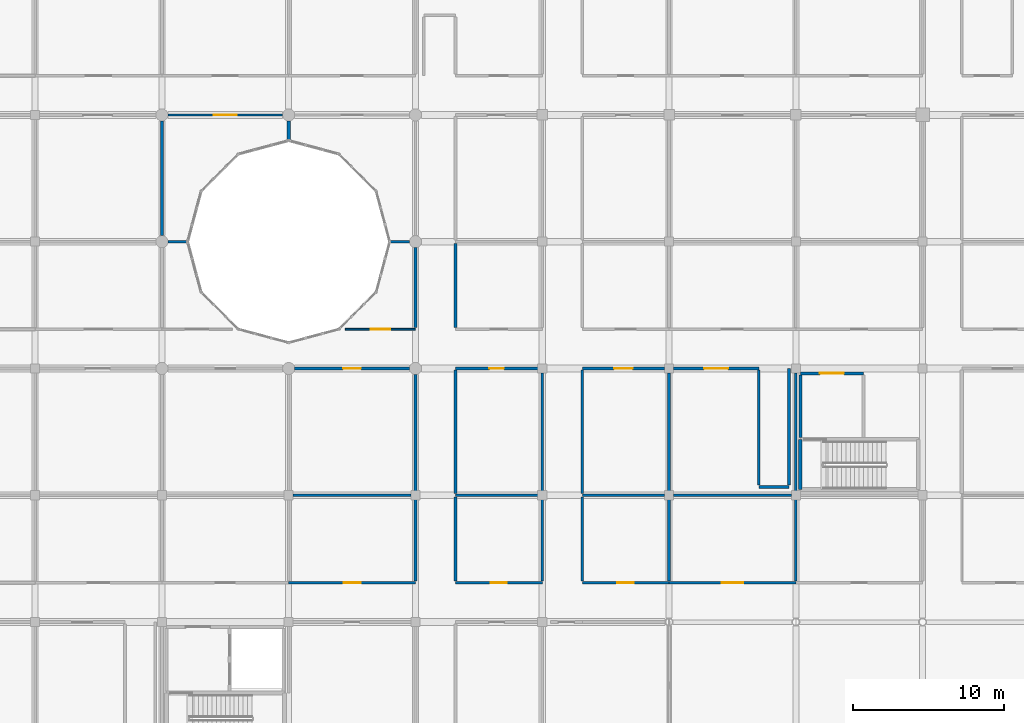
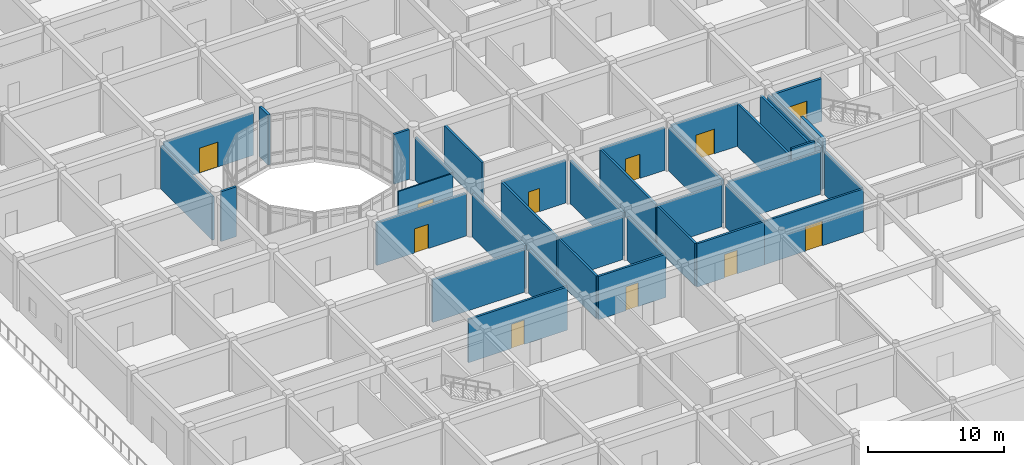
# One storey, part 98 of 138: 38 walls, 11 doors, 11 openings.
"""IFC4 building model written with IfcOpenShell, lengths in metres."""

from ifc_helpers import new_model, si_unit, direction, frame, frame_2d, origin, place, context, subcontext, project, spatial, rectangle, extrude, material, layer, layer_set, type_object, element, fill, save


model = new_model("IFC4")

# Units and contexts
model_context = context("Model", 3, precision=1e-05, world=origin(), true_north=direction((0.0, 1.0)))
body_context = subcontext(model_context, "Body", "Model", "MODEL_VIEW")
ifc_project = project(units=[si_unit("LENGTHUNIT", "METRE"), si_unit("AREAUNIT", "SQUARE_METRE"), si_unit("VOLUMEUNIT", "CUBIC_METRE"), si_unit("PLANEANGLEUNIT", "RADIAN"), si_unit("MASSUNIT", "GRAM", prefix="KILO")], contexts=[model_context])

# Site, building, storey
site_placement = place(None, origin())
site = spatial("IfcSite", under=ifc_project, at=site_placement, CompositionType="ELEMENT")
building_placement = place(site_placement, origin())
building = spatial("IfcBuilding", under=site, at=building_placement, Name="Bramfleet General Hospital", CompositionType="ELEMENT")
storey_placement = place(building_placement, origin())
storey = spatial("IfcBuildingStorey", under=building, at=storey_placement, Name="L00", CompositionType="ELEMENT", Elevation=0.0)

# Walls
ifc_material_1 = material(Name="Concrete C35/45", Category="concrete")
ifc_layer_1 = layer(ifc_material_1, 0.219970703125, Name="WT-IW-01")
ifc_layer_set_1 = layer_set([ifc_layer_1], Name="Concrete C35/45")
wall_type_1 = type_object("IfcWallType", Name="WT-IW-01", PredefinedType="PARTITIONING", material=ifc_layer_set_1)
wall_1_placement = place(storey_placement, frame((25.199951171875, 90.699951171875, 0.0), z_axis=(0.0, 0.0, 1.0), x_axis=(0.0, 1.0, 0.0)))
element("IfcWall", 1, at=wall_1_placement, inside=storey, type_object=wall_type_1, Name="L00 Interior Partition IW-L00-0949", PredefinedType="PARTITIONING", context=body_context, shape_type="SweptSolid", body=[
    extrude(rectangle(XDim=1.304931640625, YDim=0.219970703125, at=frame_2d((0.65234375, 0.0))), origin(), (0.0, 0.0, 1.0), 4.489990234375),
])
ifc_layer_2 = layer(ifc_material_1, 0.205078125, Name="WT-IW-02")
ifc_layer_set_2 = layer_set([ifc_layer_2], Name="Concrete C35/45")
wall_type_2 = type_object("IfcWallType", Name="WT-IW-02", PredefinedType="PARTITIONING", material=ifc_layer_set_2)
wall_2_placement = place(storey_placement, frame((59.10009765625, 71.0400390625, 0.0), z_axis=(0.0, 0.0, 1.0), x_axis=(0.0, 1.0, 0.0)))
element("IfcWall", 2, at=wall_2_placement, inside=storey, type_object=wall_type_2, Name="L00 C13 Lobby West Compartment Wall", PredefinedType="PARTITIONING", context=body_context, shape_type="SweptSolid", body=[
    extrude(rectangle(XDim=4.119873046875, YDim=0.205078125, at=frame_2d((2.06005859375, 0.0))), origin(), (0.0, 0.0, 1.0), 3.889892578125),
])

# Wall, opening, door
wall_3_placement = place(storey_placement, frame((59.10009765625, 75.280029296875, 0.0), z_axis=(0.0, 0.0, 1.0), x_axis=(1.0, 0.0, 0.0)))
wall_3 = element("IfcWall", 3, at=wall_3_placement, inside=storey, type_object=wall_type_2, Name="L00 C13 Lobby North Compartment Wall", PredefinedType="PARTITIONING", context=body_context, shape_type="SweptSolid", body=[
    extrude(rectangle(XDim=4.179931640625, YDim=0.205078125, at=frame_2d((2.08984375, 0.0))), origin(), (0.0, 0.0, 1.0), 3.840087890625),
])
opening_1_placement = place(wall_3_placement, frame((1.2900390625, 0.0, 0.0)))
opening_1 = element("IfcOpeningElement", 4, at=opening_1_placement, cuts=wall_3, Name="Opening D0168", PredefinedType="OPENING", context=body_context, shape_type="SweptSolid", body=[
    extrude(rectangle(XDim=1.60009765625, YDim=2.25, at=frame_2d((0.800048828125, 1.125))), frame((0.0, 0.112548828125, 0.0), z_axis=(0.0, -1.0, 0.0), x_axis=(1.0, 0.0, 0.0)), (0.0, 0.0, 1.0), 0.22509765625),
])
ifc_material_2 = material(Name="Stainless steel and acoustic timber leaf", Category="steel")
door_type_1 = type_object("IfcDoorType", Name="DR-D-04", OperationType="NOTDEFINED", PredefinedType="DOOR", material=ifc_material_2)
door_1_placement = place(opening_1_placement, origin())
door_1 = element("IfcDoor", 5, at=door_1_placement, inside=storey, type_object=door_type_1, Name="L00 C13 Lobby Fire Door D0168", OperationType="DOUBLE_SWING_LEFT", OverallHeight=2.25, OverallWidth=1.60009765625, PredefinedType="DOOR", context=body_context, shape_type="SweptSolid", body=[
    extrude(rectangle(XDim=1.60009765625, YDim=2.25, at=frame_2d((0.800048828125, 1.125))), frame((0.0, 0.02490234375, 0.0), z_axis=(0.0, -1.0, 0.0), x_axis=(1.0, 0.0, 0.0)), (0.0, 0.0, 1.0), 0.050048828125),
])
fill(opening_1, door_1)

# Wall
ifc_layer_3 = layer(ifc_material_1, 0.18994140625, Name="WT-IW-03")
ifc_layer_set_3 = layer_set([ifc_layer_3], Name="Concrete C35/45")
wall_type_3 = type_object("IfcWallType", Name="WT-IW-03", PredefinedType="PARTITIONING", material=ifc_layer_set_3)
wall_4_placement = place(storey_placement, frame((17.195068359375, 84.0, 0.0), z_axis=(0.0, 0.0, 1.0), x_axis=(1.0, 0.0, 0.0)))
element("IfcWall", 6, at=wall_4_placement, inside=storey, type_object=wall_type_3, Name="L00 Interior Partition IW-L00-0783", PredefinedType="PARTITIONING", context=body_context, shape_type="SweptSolid", body=[
    extrude(rectangle(XDim=1.304931640625, YDim=0.18994140625, at=frame_2d((0.65234375, 0.0))), origin(), (0.0, 0.0, 1.0), 4.489990234375),
])

# Wall, opening, door
ifc_layer_4 = layer(ifc_material_1, 0.179931640625, Name="WT-IW-04")
ifc_layer_set_4 = layer_set([ifc_layer_4], Name="Concrete C35/45")
wall_type_4 = type_object("IfcWallType", Name="WT-IW-04", PredefinedType="PARTITIONING", material=ifc_layer_set_4)
wall_5_placement = place(storey_placement, frame((25.199951171875, 61.39990234375, 0.0), z_axis=(0.0, 0.0, 1.0), x_axis=(1.0, 0.0, 0.0)))
wall_5 = element("IfcWall", 7, at=wall_5_placement, inside=storey, type_object=wall_type_4, Name="L00 Interior Partition IW-L00-0723", PredefinedType="PARTITIONING", context=body_context, shape_type="SweptSolid", body=[
    extrude(rectangle(XDim=8.400146484375, YDim=0.179931640625, at=frame_2d((4.2001953125, 0.0))), origin(), (0.0, 0.0, 1.0), 3.889892578125),
])
opening_2_placement = place(wall_5_placement, frame((3.639892578125, 0.0, 0.0)))
opening_2 = element("IfcOpeningElement", 8, at=opening_2_placement, cuts=wall_5, Name="Opening D0443", PredefinedType="OPENING", context=body_context, shape_type="SweptSolid", body=[
    extrude(rectangle(XDim=1.1201171875, YDim=2.179931640625, at=frame_2d((0.56005859375, 1.08984375))), frame((0.0, 0.099853515625, 0.0), z_axis=(0.0, -1.0, 0.0), x_axis=(1.0, 0.0, 0.0)), (0.0, 0.0, 1.0), 0.199951171875),
])
door_type_2 = type_object("IfcDoorType", Name="DR-D-27", OperationType="NOTDEFINED", PredefinedType="DOOR", material=ifc_material_2)
door_2_placement = place(opening_2_placement, origin())
door_2 = element("IfcDoor", 9, at=door_2_placement, inside=storey, type_object=door_type_2, Name="Diagnostic Imaging CT and Radiography 0307 Door D0443", OperationType="SINGLE_SWING_RIGHT", OverallHeight=2.179931640625, OverallWidth=1.1201171875, PredefinedType="DOOR", context=body_context, shape_type="SweptSolid", body=[
    extrude(rectangle(XDim=1.1201171875, YDim=2.179931640625, at=frame_2d((0.56005859375, 1.08984375))), frame((0.0, 0.02490234375, 0.0), z_axis=(0.0, -1.0, 0.0), x_axis=(1.0, 0.0, 0.0)), (0.0, 0.0, 1.0), 0.050048828125),
])
fill(opening_2, door_2)

wall_6_placement = place(storey_placement, frame((36.25, 61.39990234375, 0.0), z_axis=(0.0, 0.0, 1.0), x_axis=(1.0, 0.0, 0.0)))
wall_6 = element("IfcWall", 10, at=wall_6_placement, inside=storey, type_object=wall_type_4, Name="L00 Interior Partition IW-L00-0724", PredefinedType="PARTITIONING", context=body_context, shape_type="SweptSolid", body=[
    extrude(rectangle(XDim=5.75, YDim=0.179931640625, at=frame_2d((2.875, 0.0))), origin(), (0.0, 0.0, 1.0), 3.889892578125),
])
opening_3_placement = place(wall_6_placement, frame((2.35009765625, 0.0, 0.0)))
opening_3 = element("IfcOpeningElement", 11, at=opening_3_placement, cuts=wall_6, Name="Opening D0457", PredefinedType="OPENING", context=body_context, shape_type="SweptSolid", body=[
    extrude(rectangle(XDim=1.050048828125, YDim=2.14990234375, at=frame_2d((0.52490234375, 1.074951171875))), frame((0.0, 0.099853515625, 0.0), z_axis=(0.0, -1.0, 0.0), x_axis=(1.0, 0.0, 0.0)), (0.0, 0.0, 1.0), 0.199951171875),
])
door_type_3 = type_object("IfcDoorType", Name="DR-D-09", OperationType="NOTDEFINED", PredefinedType="DOOR", material=ifc_material_2)
door_3_placement = place(opening_3_placement, origin())
door_3 = element("IfcDoor", 12, at=door_3_placement, inside=storey, type_object=door_type_3, Name="Diagnostic Imaging CT and Radiography 0407 Door D0457", OperationType="SINGLE_SWING_RIGHT", OverallHeight=2.14990234375, OverallWidth=1.050048828125, PredefinedType="DOOR", context=body_context, shape_type="SweptSolid", body=[
    extrude(rectangle(XDim=1.050048828125, YDim=2.14990234375, at=frame_2d((0.52490234375, 1.074951171875))), frame((0.0, 0.02490234375, 0.0), z_axis=(0.0, -1.0, 0.0), x_axis=(1.0, 0.0, 0.0)), (0.0, 0.0, 1.0), 0.050048828125),
])
fill(opening_3, door_3)

wall_7_placement = place(storey_placement, frame((44.64990234375, 61.39990234375, 0.0), z_axis=(0.0, 0.0, 1.0), x_axis=(1.0, 0.0, 0.0)))
wall_7 = element("IfcWall", 13, at=wall_7_placement, inside=storey, type_object=wall_type_4, Name="L00 Interior Partition IW-L00-0725", PredefinedType="PARTITIONING", context=body_context, shape_type="SweptSolid", body=[
    extrude(rectangle(XDim=5.75, YDim=0.179931640625, at=frame_2d((2.875, 0.0))), origin(), (0.0, 0.0, 1.0), 3.889892578125),
])
opening_4_placement = place(wall_7_placement, frame((2.3349609375, 0.0, 0.0)))
opening_4 = element("IfcOpeningElement", 14, at=opening_4_placement, cuts=wall_7, Name="Opening D0470", PredefinedType="OPENING", context=body_context, shape_type="SweptSolid", body=[
    extrude(rectangle(XDim=1.080078125, YDim=2.1201171875, at=frame_2d((0.5400390625, 1.06005859375))), frame((0.0, 0.099853515625, 0.0), z_axis=(0.0, -1.0, 0.0), x_axis=(1.0, 0.0, 0.0)), (0.0, 0.0, 1.0), 0.199951171875),
])
door_type_4 = type_object("IfcDoorType", Name="DR-D-22", OperationType="NOTDEFINED", PredefinedType="DOOR", material=ifc_material_2)
door_4_placement = place(opening_4_placement, origin())
door_4 = element("IfcDoor", 15, at=door_4_placement, inside=storey, type_object=door_type_4, Name="Diagnostic Imaging CT and Radiography 0507 Door D0470", OperationType="SINGLE_SWING_LEFT", OverallHeight=2.1201171875, OverallWidth=1.080078125, PredefinedType="DOOR", context=body_context, shape_type="SweptSolid", body=[
    extrude(rectangle(XDim=1.080078125, YDim=2.1201171875, at=frame_2d((0.5400390625, 1.06005859375))), frame((0.0, 0.02490234375, 0.0), z_axis=(0.0, -1.0, 0.0), x_axis=(1.0, 0.0, 0.0)), (0.0, 0.0, 1.0), 0.050048828125),
])
fill(opening_4, door_4)

wall_8_placement = place(storey_placement, frame((50.39990234375, 61.39990234375, 0.0), z_axis=(0.0, 0.0, 1.0), x_axis=(1.0, 0.0, 0.0)))
wall_8 = element("IfcWall", 16, at=wall_8_placement, inside=storey, type_object=wall_type_4, Name="L00 Interior Partition IW-L00-0726", PredefinedType="PARTITIONING", context=body_context, shape_type="SweptSolid", body=[
    extrude(rectangle(XDim=8.400146484375, YDim=0.179931640625, at=frame_2d((4.2001953125, 0.0))), origin(), (0.0, 0.0, 1.0), 3.889892578125),
])
opening_5_placement = place(wall_8_placement, frame((3.489990234375, 0.0, 0.0)))
opening_5 = element("IfcOpeningElement", 17, at=opening_5_placement, cuts=wall_8, Name="Opening D0479", PredefinedType="OPENING", context=body_context, shape_type="SweptSolid", body=[
    extrude(rectangle(XDim=1.419921875, YDim=2.219970703125, at=frame_2d((0.7099609375, 1.10986328125))), frame((0.0, 0.099853515625, 0.0), z_axis=(0.0, -1.0, 0.0), x_axis=(1.0, 0.0, 0.0)), (0.0, 0.0, 1.0), 0.199951171875),
])
door_type_5 = type_object("IfcDoorType", Name="DR-D-31", OperationType="NOTDEFINED", PredefinedType="DOOR", material=ifc_material_2)
door_5_placement = place(opening_5_placement, origin())
door_5 = element("IfcDoor", 18, at=door_5_placement, inside=storey, type_object=door_type_5, Name="Diagnostic Imaging CT and Radiography 0607 Door D0479", OperationType="SINGLE_SWING_RIGHT", OverallHeight=2.219970703125, OverallWidth=1.419921875, PredefinedType="DOOR", context=body_context, shape_type="SweptSolid", body=[
    extrude(rectangle(XDim=1.419921875, YDim=2.219970703125, at=frame_2d((0.7099609375, 1.10986328125))), frame((0.0, 0.02490234375, 0.0), z_axis=(0.0, -1.0, 0.0), x_axis=(1.0, 0.0, 0.0)), (0.0, 0.0, 1.0), 0.050048828125),
])
fill(opening_5, door_5)

# Walls
wall_9_placement = place(storey_placement, frame((25.4951171875, 67.199951171875, 0.0), z_axis=(0.0, 0.0, 1.0), x_axis=(1.0, 0.0, 0.0)))
element("IfcWall", 19, at=wall_9_placement, inside=storey, type_object=wall_type_4, Name="L00 Interior Partition IW-L00-0738", PredefinedType="PARTITIONING", context=body_context, shape_type="SweptSolid", body=[
    extrude(rectangle(XDim=7.809814453125, YDim=0.179931640625, at=frame_2d((3.90478515625, 0.0))), origin(), (0.0, 0.0, 1.0), 3.840087890625),
])
for number, where, z_axis, x_axis, name in (
    (20, (36.25, 67.199951171875, 0.0), (0.0, 0.0, 1.0), (1.0, 0.0, 0.0), "L00 Interior Partition IW-L00-0739"),
    (21, (44.64990234375, 67.199951171875, 0.0), (0.0, 0.0, 1.0), (1.0, 0.0, 0.0), "L00 Interior Partition IW-L00-0740"),
):
    element("IfcWall", number, at=place(storey_placement, frame(where, z_axis=z_axis, x_axis=x_axis)), inside=storey, type_object=wall_type_4, Name=name, PredefinedType="PARTITIONING", context=body_context, shape_type="SweptSolid", body=[
        extrude(rectangle(XDim=5.455078125, YDim=0.179931640625, at=frame_2d((2.7275390625, 0.0))), origin(), (0.0, 0.0, 1.0), 3.840087890625),
    ])
wall_10_placement = place(storey_placement, frame((50.695068359375, 67.199951171875, 0.0), z_axis=(0.0, 0.0, 1.0), x_axis=(1.0, 0.0, 0.0)))
element("IfcWall", 22, at=wall_10_placement, inside=storey, type_object=wall_type_4, Name="L00 Interior Partition IW-L00-0741", PredefinedType="PARTITIONING", context=body_context, shape_type="SweptSolid", body=[
    extrude(rectangle(XDim=7.809814453125, YDim=0.179931640625, at=frame_2d((3.90478515625, 0.0))), origin(), (0.0, 0.0, 1.0), 3.840087890625),
])
wall_11_placement = place(storey_placement, frame((56.35009765625, 67.75, 0.0), z_axis=(0.0, 0.0, 1.0), x_axis=(1.0, 0.0, 0.0)))
element("IfcWall", 23, at=wall_11_placement, inside=storey, type_object=wall_type_4, Name="L00 Interior Partition IW-L00-0750", PredefinedType="PARTITIONING", context=body_context, shape_type="SweptSolid", body=[
    extrude(rectangle(XDim=2.0, YDim=0.179931640625, at=frame_2d((1.0, 0.0))), origin(), (0.0, 0.0, 1.0), 4.489990234375),
])

# Wall, opening, door
wall_12_placement = place(storey_placement, frame((25.594970703125, 75.60009765625, 0.0), z_axis=(0.0, 0.0, 1.0), x_axis=(1.0, 0.0, 0.0)))
wall_12 = element("IfcWall", 24, at=wall_12_placement, inside=storey, type_object=wall_type_4, Name="L00 Interior Partition IW-L00-0754", PredefinedType="PARTITIONING", context=body_context, shape_type="SweptSolid", body=[
    extrude(rectangle(XDim=7.610107421875, YDim=0.179931640625, at=frame_2d((3.80517578125, 0.0))), origin(), (0.0, 0.0, 1.0), 3.840087890625),
])
opening_6_placement = place(wall_12_placement, frame((3.215087890625, 0.0, 0.0)))
opening_6 = element("IfcOpeningElement", 25, at=opening_6_placement, cuts=wall_12, Name="Opening D0444", PredefinedType="OPENING", context=body_context, shape_type="SweptSolid", body=[
    extrude(rectangle(XDim=1.179931640625, YDim=2.179931640625, at=frame_2d((0.58984375, 1.08984375))), frame((0.0, 0.099853515625, 0.0), z_axis=(0.0, -1.0, 0.0), x_axis=(1.0, 0.0, 0.0)), (0.0, 0.0, 1.0), 0.199951171875),
])
door_type_6 = type_object("IfcDoorType", Name="DR-D-28", OperationType="NOTDEFINED", PredefinedType="DOOR", material=ifc_material_2)
door_6_placement = place(opening_6_placement, origin())
door_6 = element("IfcDoor", 26, at=door_6_placement, inside=storey, type_object=door_type_6, Name="Diagnostic Imaging MRI Suite 4 Door D0444", OperationType="SINGLE_SWING_LEFT", OverallHeight=2.179931640625, OverallWidth=1.179931640625, PredefinedType="DOOR", context=body_context, shape_type="SweptSolid", body=[
    extrude(rectangle(XDim=1.179931640625, YDim=2.179931640625, at=frame_2d((0.58984375, 1.08984375))), frame((0.0, 0.02490234375, 0.0), z_axis=(0.0, -1.0, 0.0), x_axis=(1.0, 0.0, 0.0)), (0.0, 0.0, 1.0), 0.050048828125),
])
fill(opening_6, door_6)

wall_13_placement = place(storey_placement, frame((36.25, 75.60009765625, 0.0), z_axis=(0.0, 0.0, 1.0), x_axis=(1.0, 0.0, 0.0)))
wall_13 = element("IfcWall", 27, at=wall_13_placement, inside=storey, type_object=wall_type_4, Name="L00 Interior Partition IW-L00-0755", PredefinedType="PARTITIONING", context=body_context, shape_type="SweptSolid", body=[
    extrude(rectangle(XDim=5.455078125, YDim=0.179931640625, at=frame_2d((2.7275390625, 0.0))), origin(), (0.0, 0.0, 1.0), 3.840087890625),
])
opening_7_placement = place(wall_13_placement, frame((2.25244140625, 0.0, 0.0)))
opening_7 = element("IfcOpeningElement", 28, at=opening_7_placement, cuts=wall_13, Name="Opening D0458", PredefinedType="OPENING", context=body_context, shape_type="SweptSolid", body=[
    extrude(rectangle(XDim=0.949951171875, YDim=2.10009765625, at=frame_2d((0.47509765625, 1.050048828125))), frame((0.0, 0.099853515625, 0.0), z_axis=(0.0, -1.0, 0.0), x_axis=(1.0, 0.0, 0.0)), (0.0, 0.0, 1.0), 0.199951171875),
])
door_type_7 = type_object("IfcDoorType", Name="DR-D-10", OperationType="NOTDEFINED", PredefinedType="DOOR", material=ifc_material_2)
door_7_placement = place(opening_7_placement, origin())
door_7 = element("IfcDoor", 29, at=door_7_placement, inside=storey, type_object=door_type_7, Name="Diagnostic Imaging MRI Suite 5 Door D0458", OperationType="SINGLE_SWING_LEFT", OverallHeight=2.10009765625, OverallWidth=0.949951171875, PredefinedType="DOOR", context=body_context, shape_type="SweptSolid", body=[
    extrude(rectangle(XDim=0.949951171875, YDim=2.10009765625, at=frame_2d((0.47509765625, 1.050048828125))), frame((0.0, 0.02490234375, 0.0), z_axis=(0.0, -1.0, 0.0), x_axis=(1.0, 0.0, 0.0)), (0.0, 0.0, 1.0), 0.050048828125),
])
fill(opening_7, door_7)

wall_14_placement = place(storey_placement, frame((44.64990234375, 75.60009765625, 0.0), z_axis=(0.0, 0.0, 1.0), x_axis=(1.0, 0.0, 0.0)))
wall_14 = element("IfcWall", 30, at=wall_14_placement, inside=storey, type_object=wall_type_4, Name="L00 Interior Partition IW-L00-0756", PredefinedType="PARTITIONING", context=body_context, shape_type="SweptSolid", body=[
    extrude(rectangle(XDim=5.455078125, YDim=0.179931640625, at=frame_2d((2.7275390625, 0.0))), origin(), (0.0, 0.0, 1.0), 3.840087890625),
])
opening_8_placement = place(wall_14_placement, frame((2.117431640625, 0.0, 0.0)))
opening_8 = element("IfcOpeningElement", 31, at=opening_8_placement, cuts=wall_14, Name="Opening D0471", PredefinedType="OPENING", context=body_context, shape_type="SweptSolid", body=[
    extrude(rectangle(XDim=1.219970703125, YDim=2.179931640625, at=frame_2d((0.60986328125, 1.08984375))), frame((0.0, 0.099853515625, 0.0), z_axis=(0.0, -1.0, 0.0), x_axis=(1.0, 0.0, 0.0)), (0.0, 0.0, 1.0), 0.199951171875),
])
door_type_8 = type_object("IfcDoorType", Name="DR-D-23", OperationType="NOTDEFINED", PredefinedType="DOOR", material=ifc_material_2)
door_8_placement = place(opening_8_placement, origin())
door_8 = element("IfcDoor", 32, at=door_8_placement, inside=storey, type_object=door_type_8, Name="Diagnostic Imaging MRI Suite 6 Door D0471", OperationType="SINGLE_SWING_RIGHT", OverallHeight=2.179931640625, OverallWidth=1.219970703125, PredefinedType="DOOR", context=body_context, shape_type="SweptSolid", body=[
    extrude(rectangle(XDim=1.219970703125, YDim=2.179931640625, at=frame_2d((0.60986328125, 1.08984375))), frame((0.0, 0.02490234375, 0.0), z_axis=(0.0, -1.0, 0.0), x_axis=(1.0, 0.0, 0.0)), (0.0, 0.0, 1.0), 0.050048828125),
])
fill(opening_8, door_8)

wall_15_placement = place(storey_placement, frame((50.695068359375, 75.60009765625, 0.0), z_axis=(0.0, 0.0, 1.0), x_axis=(1.0, 0.0, 0.0)))
wall_15 = element("IfcWall", 33, at=wall_15_placement, inside=storey, type_object=wall_type_4, Name="L00 Interior Partition IW-L00-0757", PredefinedType="PARTITIONING", context=body_context, shape_type="SweptSolid", body=[
    extrude(rectangle(XDim=5.655029296875, YDim=0.179931640625, at=frame_2d((2.82763671875, 0.0))), origin(), (0.0, 0.0, 1.0), 3.840087890625),
])
opening_9_placement = place(wall_15_placement, frame((2.03759765625, 0.0, 0.0)))
opening_9 = element("IfcOpeningElement", 34, at=opening_9_placement, cuts=wall_15, Name="Opening D0480", PredefinedType="OPENING", context=body_context, shape_type="SweptSolid", body=[
    extrude(rectangle(XDim=1.580078125, YDim=2.219970703125, at=frame_2d((0.7900390625, 1.10986328125))), frame((0.0, 0.099853515625, 0.0), z_axis=(0.0, -1.0, 0.0), x_axis=(1.0, 0.0, 0.0)), (0.0, 0.0, 1.0), 0.199951171875),
])
door_type_9 = type_object("IfcDoorType", Name="DR-D-32", OperationType="NOTDEFINED", PredefinedType="DOOR", material=ifc_material_2)
door_9_placement = place(opening_9_placement, origin())
door_9 = element("IfcDoor", 35, at=door_9_placement, inside=storey, type_object=door_type_9, Name="Diagnostic Imaging MRI Suite 7 Door D0480", OperationType="DOUBLE_SWING_LEFT", OverallHeight=2.219970703125, OverallWidth=1.580078125, PredefinedType="DOOR", context=body_context, shape_type="SweptSolid", body=[
    extrude(rectangle(XDim=1.580078125, YDim=2.219970703125, at=frame_2d((0.7900390625, 1.10986328125))), frame((0.0, 0.02490234375, 0.0), z_axis=(0.0, -1.0, 0.0), x_axis=(1.0, 0.0, 0.0)), (0.0, 0.0, 1.0), 0.050048828125),
])
fill(opening_9, door_9)

# Walls
wall_16_placement = place(storey_placement, frame((31.89990234375, 84.0, 0.0), z_axis=(0.0, 0.0, 1.0), x_axis=(1.0, 0.0, 0.0)))
element("IfcWall", 36, at=wall_16_placement, inside=storey, type_object=wall_type_4, Name="L00 Interior Partition IW-L00-0784", PredefinedType="PARTITIONING", context=body_context, shape_type="SweptSolid", body=[
    extrude(rectangle(XDim=1.30517578125, YDim=0.179931640625, at=frame_2d((0.652587890625, 0.0))), origin(), (0.0, 0.0, 1.0), 4.489990234375),
])
wall_17_placement = place(storey_placement, frame((16.800048828125, 84.39501953125, 0.0), z_axis=(0.0, 0.0, 1.0), x_axis=(0.0, 1.0, 0.0)))
element("IfcWall", 37, at=wall_17_placement, inside=storey, type_object=wall_type_4, Name="L00 Interior Partition IW-L00-0934", PredefinedType="PARTITIONING", context=body_context, shape_type="SweptSolid", body=[
    extrude(rectangle(XDim=7.60986328125, YDim=0.179931640625, at=frame_2d((3.804931640625, 0.0))), origin(), (0.0, 0.0, 1.0), 3.889892578125),
])
wall_18_placement = place(storey_placement, frame((33.60009765625, 61.514892578125, 0.0), z_axis=(0.0, 0.0, 1.0), x_axis=(0.0, 1.0, 0.0)))
element("IfcWall", 38, at=wall_18_placement, inside=storey, type_object=wall_type_4, Name="L00 Interior Partition IW-L00-0963", PredefinedType="PARTITIONING", context=body_context, shape_type="SweptSolid", body=[
    extrude(rectangle(XDim=5.39013671875, YDim=0.179931640625, at=frame_2d((2.695068359375, 0.0))), origin(), (0.0, 0.0, 1.0), 3.889892578125),
])
wall_19_placement = place(storey_placement, frame((33.60009765625, 67.4951171875, 0.0), z_axis=(0.0, 0.0, 1.0), x_axis=(0.0, 1.0, 0.0)))
element("IfcWall", 39, at=wall_19_placement, inside=storey, type_object=wall_type_4, Name="L00 Interior Partition IW-L00-0964", PredefinedType="PARTITIONING", context=body_context, shape_type="SweptSolid", body=[
    extrude(rectangle(XDim=7.7099609375, YDim=0.179931640625, at=frame_2d((3.85498046875, 0.0))), origin(), (0.0, 0.0, 1.0), 3.889892578125),
])
wall_20_placement = place(storey_placement, frame((36.25, 61.514892578125, 0.0), z_axis=(0.0, 0.0, 1.0), x_axis=(0.0, 1.0, 0.0)))
element("IfcWall", 40, at=wall_20_placement, inside=storey, type_object=wall_type_4, Name="L00 Interior Partition IW-L00-0978", PredefinedType="PARTITIONING", context=body_context, shape_type="SweptSolid", body=[
    extrude(rectangle(XDim=5.570068359375, YDim=0.179931640625, at=frame_2d((2.78515625, 0.0))), origin(), (0.0, 0.0, 1.0), 3.840087890625),
])
wall_21_placement = place(storey_placement, frame((36.25, 67.31494140625, 0.0), z_axis=(0.0, 0.0, 1.0), x_axis=(0.0, 1.0, 0.0)))
element("IfcWall", 41, at=wall_21_placement, inside=storey, type_object=wall_type_4, Name="L00 Interior Partition IW-L00-0979", PredefinedType="PARTITIONING", context=body_context, shape_type="SweptSolid", body=[
    extrude(rectangle(XDim=8.170166015625, YDim=0.179931640625, at=frame_2d((4.0849609375, 0.0))), origin(), (0.0, 0.0, 1.0), 3.840087890625),
])
wall_22_placement = place(storey_placement, frame((36.25, 78.31494140625, 0.0), z_axis=(0.0, 0.0, 1.0), x_axis=(0.0, 1.0, 0.0)))
element("IfcWall", 42, at=wall_22_placement, inside=storey, type_object=wall_type_4, Name="L00 Interior Partition IW-L00-0980", PredefinedType="PARTITIONING", context=body_context, shape_type="SweptSolid", body=[
    extrude(rectangle(XDim=5.570068359375, YDim=0.179931640625, at=frame_2d((2.78515625, 0.0))), origin(), (0.0, 0.0, 1.0), 3.840087890625),
])
wall_23_placement = place(storey_placement, frame((42.0, 61.514892578125, 0.0), z_axis=(0.0, 0.0, 1.0), x_axis=(0.0, 1.0, 0.0)))
element("IfcWall", 43, at=wall_23_placement, inside=storey, type_object=wall_type_4, Name="L00 Interior Partition IW-L00-0990", PredefinedType="PARTITIONING", context=body_context, shape_type="SweptSolid", body=[
    extrude(rectangle(XDim=5.39013671875, YDim=0.179931640625, at=frame_2d((2.695068359375, 0.0))), origin(), (0.0, 0.0, 1.0), 3.889892578125),
])
wall_24_placement = place(storey_placement, frame((42.0, 67.4951171875, 0.0), z_axis=(0.0, 0.0, 1.0), x_axis=(0.0, 1.0, 0.0)))
element("IfcWall", 44, at=wall_24_placement, inside=storey, type_object=wall_type_4, Name="L00 Interior Partition IW-L00-0991", PredefinedType="PARTITIONING", context=body_context, shape_type="SweptSolid", body=[
    extrude(rectangle(XDim=7.809814453125, YDim=0.179931640625, at=frame_2d((3.90478515625, 0.0))), origin(), (0.0, 0.0, 1.0), 3.889892578125),
])
wall_25_placement = place(storey_placement, frame((44.64990234375, 61.514892578125, 0.0), z_axis=(0.0, 0.0, 1.0), x_axis=(0.0, 1.0, 0.0)))
element("IfcWall", 45, at=wall_25_placement, inside=storey, type_object=wall_type_4, Name="L00 Interior Partition IW-L00-0996", PredefinedType="PARTITIONING", context=body_context, shape_type="SweptSolid", body=[
    extrude(rectangle(XDim=5.570068359375, YDim=0.179931640625, at=frame_2d((2.78515625, 0.0))), origin(), (0.0, 0.0, 1.0), 3.840087890625),
])
wall_26_placement = place(storey_placement, frame((44.64990234375, 67.31494140625, 0.0), z_axis=(0.0, 0.0, 1.0), x_axis=(0.0, 1.0, 0.0)))
element("IfcWall", 46, at=wall_26_placement, inside=storey, type_object=wall_type_4, Name="L00 Interior Partition IW-L00-0997", PredefinedType="PARTITIONING", context=body_context, shape_type="SweptSolid", body=[
    extrude(rectangle(XDim=8.170166015625, YDim=0.179931640625, at=frame_2d((4.0849609375, 0.0))), origin(), (0.0, 0.0, 1.0), 3.840087890625),
])
wall_27_placement = place(storey_placement, frame((50.39990234375, 61.514892578125, 0.0), z_axis=(0.0, 0.0, 1.0), x_axis=(0.0, 1.0, 0.0)))
element("IfcWall", 47, at=wall_27_placement, inside=storey, type_object=wall_type_4, Name="L00 Interior Partition IW-L00-1016", PredefinedType="PARTITIONING", context=body_context, shape_type="SweptSolid", body=[
    extrude(rectangle(XDim=5.39013671875, YDim=0.179931640625, at=frame_2d((2.695068359375, 0.0))), origin(), (0.0, 0.0, 1.0), 3.889892578125),
])
wall_28_placement = place(storey_placement, frame((50.39990234375, 67.4951171875, 0.0), z_axis=(0.0, 0.0, 1.0), x_axis=(0.0, 1.0, 0.0)))
element("IfcWall", 48, at=wall_28_placement, inside=storey, type_object=wall_type_4, Name="L00 Interior Partition IW-L00-1017", PredefinedType="PARTITIONING", context=body_context, shape_type="SweptSolid", body=[
    extrude(rectangle(XDim=7.809814453125, YDim=0.179931640625, at=frame_2d((3.90478515625, 0.0))), origin(), (0.0, 0.0, 1.0), 3.889892578125),
])
wall_29_placement = place(storey_placement, frame((56.35009765625, 67.864990234375, 0.0), z_axis=(0.0, 0.0, 1.0), x_axis=(0.0, 1.0, 0.0)))
element("IfcWall", 49, at=wall_29_placement, inside=storey, type_object=wall_type_4, Name="L00 Interior Partition IW-L00-1023", PredefinedType="PARTITIONING", context=body_context, shape_type="SweptSolid", body=[
    extrude(rectangle(XDim=7.6201171875, YDim=0.179931640625, at=frame_2d((3.81005859375, 0.0))), origin(), (0.0, 0.0, 1.0), 3.840087890625),
])
wall_30_placement = place(storey_placement, frame((58.35009765625, 67.864990234375, 0.0), z_axis=(0.0, 0.0, 1.0), x_axis=(0.0, 1.0, 0.0)))
element("IfcWall", 50, at=wall_30_placement, inside=storey, type_object=wall_type_4, Name="L00 Interior Partition IW-L00-1024", PredefinedType="PARTITIONING", context=body_context, shape_type="SweptSolid", body=[
    extrude(rectangle(XDim=7.735107421875, YDim=0.179931640625, at=frame_2d((3.86767578125, 0.0))), origin(), (0.0, 0.0, 1.0), 3.840087890625),
])
wall_31_placement = place(storey_placement, frame((58.800048828125, 61.514892578125, 0.0), z_axis=(0.0, 0.0, 1.0), x_axis=(0.0, 1.0, 0.0)))
element("IfcWall", 51, at=wall_31_placement, inside=storey, type_object=wall_type_4, Name="L00 Interior Partition IW-L00-1028", PredefinedType="PARTITIONING", context=body_context, shape_type="SweptSolid", body=[
    extrude(rectangle(XDim=5.39013671875, YDim=0.179931640625, at=frame_2d((2.695068359375, 0.0))), origin(), (0.0, 0.0, 1.0), 3.889892578125),
])
wall_32_placement = place(storey_placement, frame((58.800048828125, 67.4951171875, 0.0), z_axis=(0.0, 0.0, 1.0), x_axis=(0.0, 1.0, 0.0)))
element("IfcWall", 52, at=wall_32_placement, inside=storey, type_object=wall_type_4, Name="L00 Interior Partition IW-L00-1029", PredefinedType="PARTITIONING", context=body_context, shape_type="SweptSolid", body=[
    extrude(rectangle(XDim=7.809814453125, YDim=0.179931640625, at=frame_2d((3.90478515625, 0.0))), origin(), (0.0, 0.0, 1.0), 3.889892578125),
])
ifc_material_3 = material(Name="Gypsum plasterboard on acoustic steel studs", Category="steel")
ifc_layer_5 = layer(ifc_material_3, 0.169921875, Name="WT-IW-05")
ifc_layer_set_5 = layer_set([ifc_layer_5], Name="Gypsum plasterboard on acoustic steel studs")
wall_type_5 = type_object("IfcWallType", Name="WT-IW-05", PredefinedType="PARTITIONING", material=ifc_layer_set_5)
wall_33_placement = place(storey_placement, frame((33.60009765625, 78.31494140625, 0.0), z_axis=(0.0, 0.0, 1.0), x_axis=(0.0, 1.0, 0.0)))
element("IfcWall", 53, at=wall_33_placement, inside=storey, type_object=wall_type_5, Name="L00 Interior Partition IW-L00-0965", PredefinedType="PARTITIONING", context=body_context, shape_type="SweptSolid", body=[
    extrude(rectangle(XDim=5.2900390625, YDim=0.169921875, at=frame_2d((2.64501953125, 0.0))), origin(), (0.0, 0.0, 1.0), 3.889892578125),
])

# Wall, opening, door
ifc_layer_6 = layer(ifc_material_3, 0.1201171875, Name="WT-IW-10")
ifc_layer_set_6 = layer_set([ifc_layer_6], Name="Gypsum plasterboard on acoustic steel studs")
wall_type_6 = type_object("IfcWallType", Name="WT-IW-10", PredefinedType="PARTITIONING", material=ifc_layer_set_6)
wall_34_placement = place(storey_placement, frame((17.195068359375, 92.39990234375, 0.0), z_axis=(0.0, 0.0, 1.0), x_axis=(1.0, 0.0, 0.0)))
wall_34 = element("IfcWall", 54, at=wall_34_placement, inside=storey, type_object=wall_type_6, Name="L00 Interior Partition IW-L00-0802", PredefinedType="PARTITIONING", context=body_context, shape_type="SweptSolid", body=[
    extrude(rectangle(XDim=7.60986328125, YDim=0.1201171875, at=frame_2d((3.804931640625, 0.0))), origin(), (0.0, 0.0, 1.0), 3.840087890625),
])
opening_10_placement = place(wall_34_placement, frame((3.034912109375, 0.0, 0.0)))
opening_10 = element("IfcOpeningElement", 55, at=opening_10_placement, cuts=wall_34, Name="Opening D0433", PredefinedType="OPENING", context=body_context, shape_type="SweptSolid", body=[
    extrude(rectangle(XDim=1.5400390625, YDim=2.239990234375, at=frame_2d((0.77001953125, 1.1201171875))), frame((0.0, 0.070068359375, 0.0), z_axis=(0.0, -1.0, 0.0), x_axis=(1.0, 0.0, 0.0)), (0.0, 0.0, 1.0), 0.14013671875),
])
door_type_10 = type_object("IfcDoorType", Name="DR-D-17", OperationType="NOTDEFINED", PredefinedType="DOOR", material=ifc_material_2)
door_10_placement = place(opening_10_placement, origin())
door_10 = element("IfcDoor", 56, at=door_10_placement, inside=storey, type_object=door_type_10, Name="Courtyard Waiting Lounge L00-0210 Door D0433", OperationType="SINGLE_SWING_RIGHT", OverallHeight=2.239990234375, OverallWidth=1.5400390625, PredefinedType="DOOR", context=body_context, shape_type="SweptSolid", body=[
    extrude(rectangle(XDim=1.5400390625, YDim=2.239990234375, at=frame_2d((0.77001953125, 1.1201171875))), frame((0.0, 0.02490234375, 0.0), z_axis=(0.0, -1.0, 0.0), x_axis=(1.0, 0.0, 0.0)), (0.0, 0.0, 1.0), 0.050048828125),
])
fill(opening_10, door_10)

ifc_layer_7 = layer(ifc_material_3, 0.112060546875, Name="WT-IW-11")
ifc_layer_set_7 = layer_set([ifc_layer_7], Name="Gypsum plasterboard on acoustic steel studs")
wall_type_7 = type_object("IfcWallType", Name="WT-IW-11", PredefinedType="PARTITIONING", material=ifc_layer_set_7)
wall_35_placement = place(storey_placement, frame((28.947998046875, 78.199951171875, 0.0), z_axis=(0.0, 0.0, 1.0), x_axis=(1.0, 0.0, 0.0)))
wall_35 = element("IfcWall", 57, at=wall_35_placement, inside=storey, type_object=wall_type_7, Name="L00 Interior Partition IW-L00-0767", PredefinedType="PARTITIONING", context=body_context, shape_type="SweptSolid", body=[
    extrude(rectangle(XDim=4.652099609375, YDim=0.112060546875, at=frame_2d((2.326171875, 0.0))), origin(), (0.0, 0.0, 1.0), 3.889892578125),
])
opening_11_placement = place(wall_35_placement, frame((1.68603515625, 0.0, 0.0)))
opening_11 = element("IfcOpeningElement", 58, at=opening_11_placement, cuts=wall_35, Name="Opening D0445", PredefinedType="OPENING", context=body_context, shape_type="SweptSolid", body=[
    extrude(rectangle(XDim=1.280029296875, YDim=2.179931640625, at=frame_2d((0.64013671875, 1.08984375))), frame((0.0, 0.06591796875, 0.0), z_axis=(0.0, -1.0, 0.0), x_axis=(1.0, 0.0, 0.0)), (0.0, 0.0, 1.0), 0.132080078125),
])
door_type_11 = type_object("IfcDoorType", Name="DR-D-29", OperationType="NOTDEFINED", PredefinedType="DOOR", material=ifc_material_2)
door_11_placement = place(opening_11_placement, origin())
door_11 = element("IfcDoor", 59, at=door_11_placement, inside=storey, type_object=door_type_11, Name="Courtyard Waiting Lounge L00-0309 Door D0445", OperationType="SINGLE_SWING_RIGHT", OverallHeight=2.179931640625, OverallWidth=1.280029296875, PredefinedType="DOOR", context=body_context, shape_type="SweptSolid", body=[
    extrude(rectangle(XDim=1.280029296875, YDim=2.179931640625, at=frame_2d((0.64013671875, 1.08984375))), frame((0.0, 0.02490234375, 0.0), z_axis=(0.0, -1.0, 0.0), x_axis=(1.0, 0.0, 0.0)), (0.0, 0.0, 1.0), 0.050048828125),
])
fill(opening_11, door_11)

# Wall
ifc_material_4 = material(Name="Concrete C40/50", Category="concrete")
ifc_layer_8 = layer(ifc_material_4, 0.239990234375, Name="WT-SW-240")
ifc_layer_set_8 = layer_set([ifc_layer_8], Name="Concrete C40/50")
wall_type_8 = type_object("IfcWallType", Name="WT-SW-240", PredefinedType="SHEAR", material=ifc_layer_set_8)
wall_36_placement = place(storey_placement, frame((59.10009765625, 67.580078125, 0.0), z_axis=(0.0, 0.0, 1.0), x_axis=(0.0, 1.0, 0.0)))
element("IfcWall", 60, at=wall_36_placement, inside=storey, type_object=wall_type_8, Name="L00 C13 West Stair Shear Wall", PredefinedType="SHEAR", context=body_context, shape_type="SweptSolid", body=[
    extrude(rectangle(XDim=3.31982421875, YDim=0.239990234375, at=frame_2d((1.659912109375, 0.0))), origin(), (0.0, 0.0, 1.0), 4.5),
])

save(model, "model.ifc")
